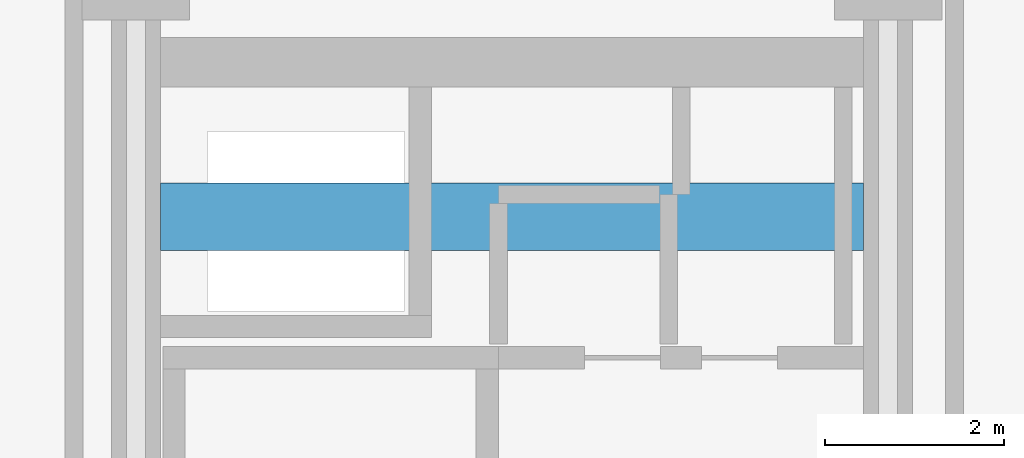
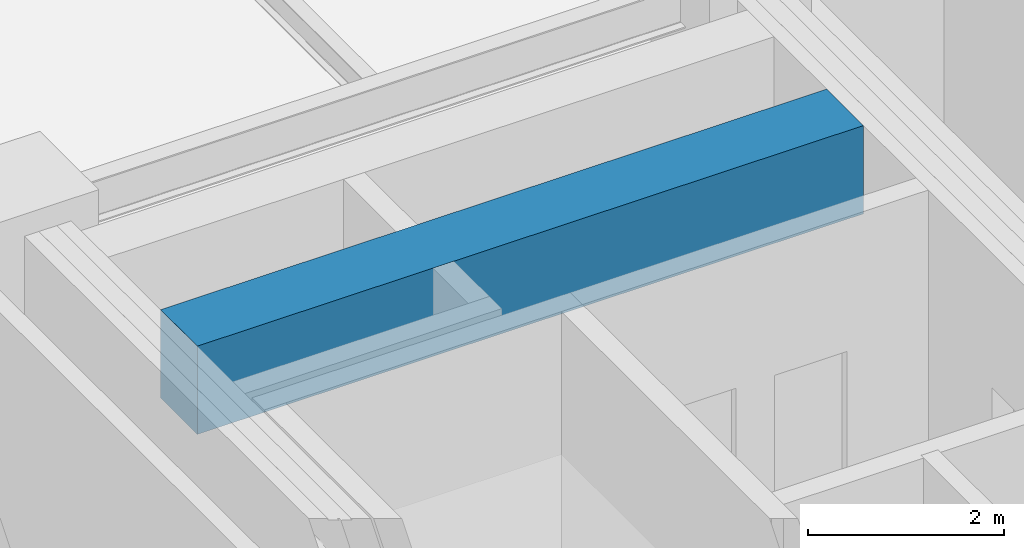
# One storey, part 24 of 38: 1 beam.
"""IFC4 building model written with IfcOpenShell, lengths in metres."""

from ifc_helpers import new_model, si_unit, direction, frame, origin, origin_2d, place, context, subcontext, project, spatial, rectangle, extrude, material, material_profile, profile_set, type_object, element, save


model = new_model("IFC4")

# Units and contexts
model_context = context("Model", 3, precision=1e-05, world=origin(), true_north=direction((0.0, 1.0)))
body_context = subcontext(model_context, "Body", "Model", "MODEL_VIEW")
ifc_project = project(units=[si_unit("LENGTHUNIT", "METRE"), si_unit("AREAUNIT", "SQUARE_METRE"), si_unit("VOLUMEUNIT", "CUBIC_METRE"), si_unit("PLANEANGLEUNIT", "RADIAN"), si_unit("MASSUNIT", "GRAM", prefix="KILO")], contexts=[model_context])

# Site, building, storey
site_placement = place(None, origin())
site = spatial("IfcSite", under=ifc_project, at=site_placement, CompositionType="ELEMENT")
building_placement = place(site_placement, origin())
building = spatial("IfcBuilding", under=site, at=building_placement, Name="Nerrivon Quay Data Exchange", CompositionType="ELEMENT")
storey_placement = place(building_placement, frame((0.0, 0.0, 100.800048828125)))
storey = spatial("IfcBuildingStorey", under=building, at=storey_placement, Name="L23", CompositionType="ELEMENT", Elevation=100.800048828125)

# Beam
ifc_material = material(Name="Concrete S65 (65 MPa)", Category="concrete")
ifc_material_profile = material_profile(ifc_material, rectangle(XDim=0.75, YDim=1.10009765625, at=origin_2d()), Name="RC-CB-750x1100")
ifc_profile_set = profile_set([ifc_material_profile], Name="Concrete S65 (65 MPa)")
beam_type = type_object("IfcBeamType", Name="BM-CB1-750x1100", PredefinedType="LINTEL", material=ifc_profile_set)
beam_placement = place(storey_placement, frame((8.675048828125, 39.199951171875, 3.27490234375), z_axis=(1.0, 0.0, 0.0), x_axis=(0.0, 1.0, 0.0)))
element("IfcBeam", 1, at=beam_placement, inside=storey, type_object=beam_type, Name="L23 West Core Coupling Beam", PredefinedType="LINTEL", context=body_context, shape_type="SweptSolid", body=[
    extrude(rectangle(XDim=0.75, YDim=1.10009765625, at=origin_2d()), origin(), (0.0, 0.0, 1.0), 7.849853515625),
])

save(model, "model.ifc")
